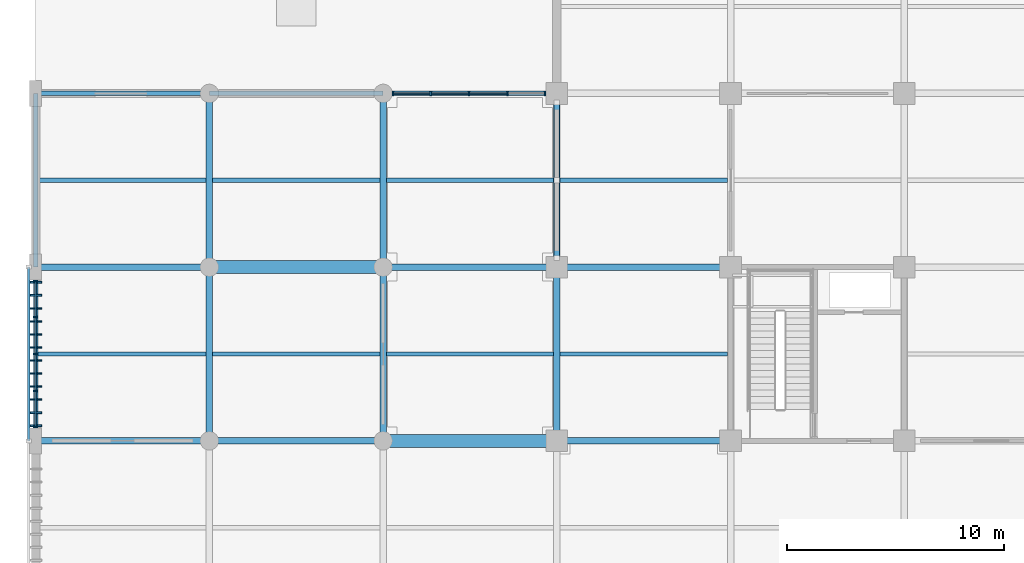
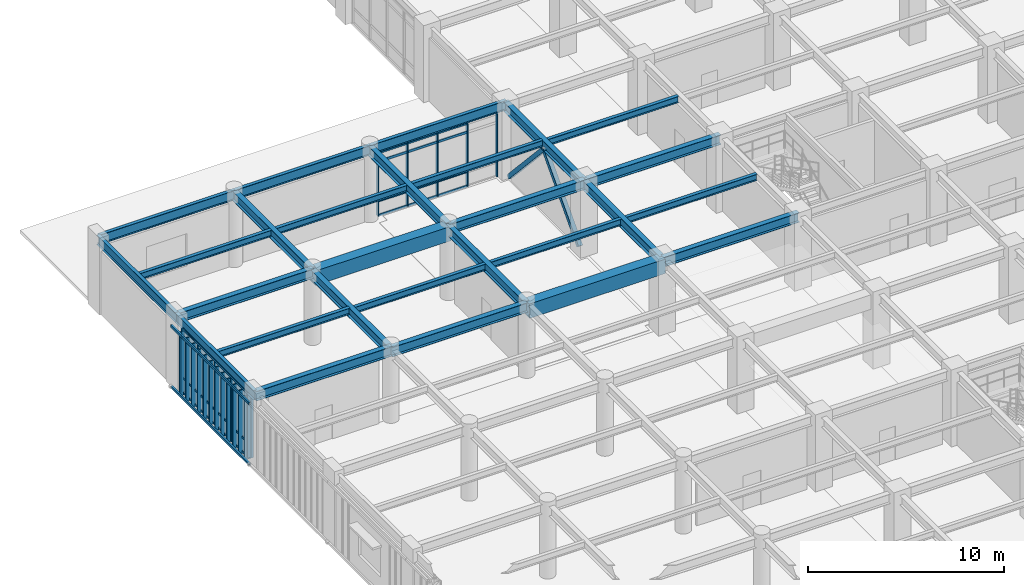
# One storey, part 41 of 117: 54 members, 27 beams, 2 elements without a shape of their own.
"""IFC4 building model written with IfcOpenShell, lengths in metres."""

from ifc_helpers import new_model, si_unit, direction, frame, origin, origin_2d, place, context, subcontext, project, spatial, rectangle, hollow_rectangle, i_section, extrude, material, layer, layer_set, material_profile, profile_set, type_object, element, aggregate, save


model = new_model("IFC4")

# Units and contexts
model_context = context("Model", 3, precision=1e-05, world=origin(), true_north=direction((0.0, 1.0)))
body_context = subcontext(model_context, "Body", "Model", "MODEL_VIEW")
ifc_project = project(units=[si_unit("LENGTHUNIT", "METRE"), si_unit("AREAUNIT", "SQUARE_METRE"), si_unit("VOLUMEUNIT", "CUBIC_METRE"), si_unit("PLANEANGLEUNIT", "RADIAN"), si_unit("MASSUNIT", "GRAM", prefix="KILO")], contexts=[model_context])

# Site, building, storey
site_placement = place(None, origin())
site = spatial("IfcSite", under=ifc_project, at=site_placement, CompositionType="ELEMENT")
building_placement = place(site_placement, origin())
building = spatial("IfcBuilding", under=site, at=building_placement, Name="Haebicheon Civic Stadium", CompositionType="ELEMENT")
storey_placement = place(building_placement, frame((0.0, 0.0, 4.800048828125)))
storey = spatial("IfcBuildingStorey", under=building, at=storey_placement, Name="L02", CompositionType="ELEMENT", Elevation=4.800048828125)

# Beams
ifc_material_1 = material(Name="Concrete C40/50", Category="concrete")
ifc_material_profile_1 = material_profile(ifc_material_1, rectangle(XDim=0.60009765625, YDim=0.89990234375, at=origin_2d()), Name="RC-BM-600x900")
ifc_profile_set_1 = profile_set([ifc_material_profile_1], Name="Concrete C40/50")
beam_type_1 = type_object("IfcBeamType", Name="BM-RC-600x900", PredefinedType="BEAM", material=ifc_profile_set_1)
for number, where, z_axis, x_axis, name in (
    (1, (8.0, 136.0, 4.070068359375), (1.0, 0.0, 0.0), (0.0, 1.0, 0.0), "L02 beam T/2-3"),
    (2, (16.0, 128.0, 4.070068359375), (1.0, 0.0, 0.0), (0.0, 1.0, 0.0), "L02 beam S/3-4"),
):
    element("IfcBeam", number, at=place(storey_placement, frame(where, z_axis=z_axis, x_axis=x_axis)), inside=storey, type_object=beam_type_1, material=ifc_profile_set_1, Name=name, PredefinedType="BEAM", context=body_context, shape_type="SweptSolid", body=[
        extrude(rectangle(XDim=0.60009765625, YDim=0.89990234375, at=origin_2d()), origin(), (0.0, 0.0, 1.0), 8.0),
    ])
ifc_material_2 = material(Name="Steel SM355 (S355)", Category="steel")
ifc_material_profile_2 = material_profile(ifc_material_2, i_section(OverallWidth=0.300048828125, OverallDepth=0.60009765625, WebThickness=0.011962890625, FlangeThickness=0.02001953125, at=origin_2d()), Name="H-600x300x12x20")
ifc_profile_set_2 = profile_set([ifc_material_profile_2], Name="Steel SM355 (S355)")
beam_type_2 = type_object("IfcBeamType", Name="BM-ST-H600A", PredefinedType="BEAM", material=ifc_profile_set_2)
for number, where, z_axis, x_axis, name in (
    (3, (8.0, 128.0, 4.219970703125), (0.0, 1.0, 0.0), (-1.0, 0.0, 0.0), "L02 girder 2/S-T"),
    (4, (8.0, 136.0, 4.280029296875), (0.0, 1.0, 0.0), (-1.0, 0.0, 0.0), "L02 girder 2/T-U"),
    (5, (16.0, 128.0, 4.219970703125), (0.0, 1.0, 0.0), (-1.0, 0.0, 0.0), "L02 girder 3/S-T"),
    (6, (16.0, 136.0, 4.280029296875), (0.0, 1.0, 0.0), (-1.0, 0.0, 0.0), "L02 girder 3/T-U"),
    (7, (24.0, 128.0, 4.219970703125), (0.0, 1.0, 0.0), (-1.0, 0.0, 0.0), "L02 girder 4/S-T"),
    (8, (24.0, 136.0, 4.219970703125), (0.0, 1.0, 0.0), (-1.0, 0.0, 0.0), "L02 girder 4/T-U"),
    (9, (0.0, 128.0, 4.280029296875), (1.0, 0.0, 0.0), (0.0, 1.0, 0.0), "L02 beam S/1-2"),
    (10, (0.0, 136.0, 4.280029296875), (1.0, 0.0, 0.0), (0.0, 1.0, 0.0), "L02 beam T/1-2"),
    (11, (8.0, 128.0, 4.219970703125), (1.0, 0.0, 0.0), (0.0, 1.0, 0.0), "L02 beam S/2-3"),
    (12, (16.0, 136.0, 4.219970703125), (1.0, 0.0, 0.0), (0.0, 1.0, 0.0), "L02 beam T/3-4"),
    (13, (24.0, 128.0, 4.219970703125), (1.0, 0.0, 0.0), (0.0, 1.0, 0.0), "L02 beam S/4-5"),
    (14, (24.0, 136.0, 4.219970703125), (1.0, 0.0, 0.0), (0.0, 1.0, 0.0), "L02 beam T/4-5"),
):
    element("IfcBeam", number, at=place(storey_placement, frame(where, z_axis=z_axis, x_axis=x_axis)), inside=storey, type_object=beam_type_2, material=ifc_profile_set_2, Name=name, PredefinedType="BEAM", context=body_context, shape_type="SweptSolid", body=[
        extrude(i_section(OverallWidth=0.300048828125, OverallDepth=0.60009765625, WebThickness=0.011962890625, FlangeThickness=0.02001953125, at=origin_2d()), origin(), (0.0, 0.0, 1.0), 8.0),
    ])

# Members
ifc_material_3 = material(Name="Steel SM490", Category="steel")
ifc_material_profile_3 = material_profile(ifc_material_3, hollow_rectangle(XDim=0.25, YDim=0.25, WallThickness=0.011962890625, at=origin_2d()), Name="RHS-250x250x12.0")
ifc_profile_set_3 = profile_set([ifc_material_profile_3], Name="Steel SM490")
member_type_1 = type_object("IfcMemberType", Name="BRC-RHS250", PredefinedType="BRACE", material=ifc_profile_set_3)
for number, where, z_axis, x_axis, name in (
    (15, (24.0, 136.419921875, 0.0400390625), (0.0, 0.676254882326, 0.736667723014), (-1.0, 0.0, 0.0), "BR250 chevron brace L02 03-17 A"),
    (16, (24.0, 143.580078125, 0.0400390625), (0.0, -0.676254882326, 0.736667723014), (1.0, 0.0, 0.0), "BR250 chevron brace L02 03-17 B"),
):
    element("IfcMember", number, at=place(storey_placement, frame(where, z_axis=z_axis, x_axis=x_axis)), inside=storey, type_object=member_type_1, material=ifc_profile_set_3, Name=name, PredefinedType="BRACE", context=body_context, shape_type="SweptSolid", body=[
        extrude(hollow_rectangle(XDim=0.25, YDim=0.25, WallThickness=0.011962890625, at=origin_2d()), origin(), (0.0, 0.0, 1.0), 5.2939453125),
    ])

# Curtain wall, members
ifc_material_4 = material(Name="Anodised aluminium and laminated glass", Category="aluminium")
ifc_layer_1 = layer(ifc_material_4, 0.179931640625, Name="Anodised aluminium and laminated glass")
ifc_layer_set_1 = layer_set([ifc_layer_1], Name="Anodised aluminium and laminated glass")
curtain_wall_type_1 = type_object("IfcCurtainWallType", Name="CW-6800x3950", PredefinedType="NOTDEFINED", material=ifc_layer_set_1)
curtain_wall_1_placement = place(storey_placement, origin())
curtain_wall_1 = element("IfcCurtainWall", 17, at=curtain_wall_1_placement, inside=storey, type_object=curtain_wall_type_1, material=ifc_layer_set_1, Name="L02 unitised curtain wall 032", PredefinedType="NOTDEFINED")
ifc_material_5 = material(Name="Anodised aluminium 6063-T6", Category="aluminium")
ifc_material_profile_4 = material_profile(ifc_material_5, rectangle(XDim=0.070068359375, YDim=0.199951171875, at=origin_2d()), Name="ALU-MULL-70x200")
ifc_profile_set_4 = profile_set([ifc_material_profile_4], Name="Anodised aluminium 6063-T6")
member_type_2 = type_object("IfcMemberType", Name="CWM-200x70", PredefinedType="MULLION", material=ifc_profile_set_4)
member_1_placement = place(storey_placement, frame((0.0, 128.635009765625, 0.0), z_axis=(0.0, 0.0, 1.0), x_axis=(0.0, 1.0, 0.0)))
member_1 = element("IfcMember", 18, at=member_1_placement, type_object=member_type_2, material=ifc_profile_set_4, Name="CW-L02-032 vertical mullion 1", PredefinedType="MULLION", context=body_context, shape_type="SweptSolid", body=[
    extrude(rectangle(XDim=0.070068359375, YDim=0.199951171875, at=origin_2d()), origin(), (0.0, 0.0, 1.0), 3.949951171875),
])
member_2_placement = place(storey_placement, frame((0.0, 130.300048828125, 0.0), z_axis=(0.0, 0.0, 1.0), x_axis=(0.0, 1.0, 0.0)))
member_2 = element("IfcMember", 19, at=member_2_placement, type_object=member_type_2, material=ifc_profile_set_4, Name="CW-L02-032 vertical mullion 2", PredefinedType="MULLION", context=body_context, shape_type="SweptSolid", body=[
    extrude(rectangle(XDim=0.070068359375, YDim=0.199951171875, at=origin_2d()), origin(), (0.0, 0.0, 1.0), 3.949951171875),
])
member_3_placement = place(storey_placement, frame((0.0, 132.0, 0.0), z_axis=(0.0, 0.0, 1.0), x_axis=(0.0, 1.0, 0.0)))
member_3 = element("IfcMember", 20, at=member_3_placement, type_object=member_type_2, material=ifc_profile_set_4, Name="CW-L02-032 vertical mullion 3", PredefinedType="MULLION", context=body_context, shape_type="SweptSolid", body=[
    extrude(rectangle(XDim=0.070068359375, YDim=0.199951171875, at=origin_2d()), origin(), (0.0, 0.0, 1.0), 3.949951171875),
])
member_4_placement = place(storey_placement, frame((0.0, 133.699951171875, 0.0), z_axis=(0.0, 0.0, 1.0), x_axis=(0.0, 1.0, 0.0)))
member_4 = element("IfcMember", 21, at=member_4_placement, type_object=member_type_2, material=ifc_profile_set_4, Name="CW-L02-032 vertical mullion 4", PredefinedType="MULLION", context=body_context, shape_type="SweptSolid", body=[
    extrude(rectangle(XDim=0.070068359375, YDim=0.199951171875, at=origin_2d()), origin(), (0.0, 0.0, 1.0), 3.949951171875),
])
member_5_placement = place(storey_placement, frame((0.0, 135.364990234375, 0.0), z_axis=(0.0, 0.0, 1.0), x_axis=(0.0, 1.0, 0.0)))
member_5 = element("IfcMember", 22, at=member_5_placement, type_object=member_type_2, material=ifc_profile_set_4, Name="CW-L02-032 vertical mullion 5", PredefinedType="MULLION", context=body_context, shape_type="SweptSolid", body=[
    extrude(rectangle(XDim=0.070068359375, YDim=0.199951171875, at=origin_2d()), origin(), (0.0, 0.0, 1.0), 3.949951171875),
])

ifc_material_6 = material(Name="Anodised aluminium and laminated glass", Category="aluminium")
ifc_layer_2 = layer(ifc_material_6, 0.179931640625, Name="Anodised aluminium and laminated glass")
ifc_layer_set_2 = layer_set([ifc_layer_2], Name="Anodised aluminium and laminated glass")
curtain_wall_type_2 = type_object("IfcCurtainWallType", Name="CW-7075x3910", PredefinedType="NOTDEFINED", material=ifc_layer_set_2)
curtain_wall_2_placement = place(storey_placement, origin())
curtain_wall_2 = element("IfcCurtainWall", 23, at=curtain_wall_2_placement, inside=storey, type_object=curtain_wall_type_2, material=ifc_layer_set_2, Name="L02 unitised curtain wall 034", PredefinedType="NOTDEFINED")
member_6_placement = place(storey_placement, frame((16.4599609375, 144.0, 0.0), z_axis=(0.0, 0.0, 1.0), x_axis=(1.0, 0.0, 0.0)))
member_6 = element("IfcMember", 24, at=member_6_placement, type_object=member_type_2, material=ifc_profile_set_4, Name="CW-L02-034 vertical mullion 1", PredefinedType="MULLION", context=body_context, shape_type="SweptSolid", body=[
    extrude(rectangle(XDim=0.070068359375, YDim=0.199951171875, at=origin_2d()), origin(), (0.0, 0.0, 1.0), 3.909912109375),
])
member_7_placement = place(storey_placement, frame((18.194091796875, 144.0, 0.0), z_axis=(0.0, 0.0, 1.0), x_axis=(1.0, 0.0, 0.0)))
member_7 = element("IfcMember", 25, at=member_7_placement, type_object=member_type_2, material=ifc_profile_set_4, Name="CW-L02-034 vertical mullion 2", PredefinedType="MULLION", context=body_context, shape_type="SweptSolid", body=[
    extrude(rectangle(XDim=0.070068359375, YDim=0.199951171875, at=origin_2d()), origin(), (0.0, 0.0, 1.0), 3.909912109375),
])
member_8_placement = place(storey_placement, frame((19.962890625, 144.0, 0.0), z_axis=(0.0, 0.0, 1.0), x_axis=(1.0, 0.0, 0.0)))
member_8 = element("IfcMember", 26, at=member_8_placement, type_object=member_type_2, material=ifc_profile_set_4, Name="CW-L02-034 vertical mullion 3", PredefinedType="MULLION", context=body_context, shape_type="SweptSolid", body=[
    extrude(rectangle(XDim=0.070068359375, YDim=0.199951171875, at=origin_2d()), origin(), (0.0, 0.0, 1.0), 3.909912109375),
])
member_9_placement = place(storey_placement, frame((21.73095703125, 144.0, 0.0), z_axis=(0.0, 0.0, 1.0), x_axis=(1.0, 0.0, 0.0)))
member_9 = element("IfcMember", 27, at=member_9_placement, type_object=member_type_2, material=ifc_profile_set_4, Name="CW-L02-034 vertical mullion 4", PredefinedType="MULLION", context=body_context, shape_type="SweptSolid", body=[
    extrude(rectangle(XDim=0.070068359375, YDim=0.199951171875, at=origin_2d()), origin(), (0.0, 0.0, 1.0), 3.909912109375),
])
member_10_placement = place(storey_placement, frame((23.465087890625, 144.0, 0.0), z_axis=(0.0, 0.0, 1.0), x_axis=(1.0, 0.0, 0.0)))
member_10 = element("IfcMember", 28, at=member_10_placement, type_object=member_type_2, material=ifc_profile_set_4, Name="CW-L02-034 vertical mullion 5", PredefinedType="MULLION", context=body_context, shape_type="SweptSolid", body=[
    extrude(rectangle(XDim=0.070068359375, YDim=0.199951171875, at=origin_2d()), origin(), (0.0, 0.0, 1.0), 3.909912109375),
])

# Member
ifc_material_7 = material(Name="Anodised aluminium 6063-T6", Category="aluminium")
ifc_material_profile_5 = material_profile(ifc_material_7, rectangle(XDim=0.070068359375, YDim=0.14990234375, at=origin_2d()), Name="ALU-TRAN-70x150")
ifc_profile_set_5 = profile_set([ifc_material_profile_5], Name="Anodised aluminium 6063-T6")
member_type_3 = type_object("IfcMemberType", Name="CWT-150x70", PredefinedType="NOTDEFINED", material=ifc_profile_set_5)
member_11_placement = place(storey_placement, frame((0.0, 128.669921875, 0.0), z_axis=(0.0, 1.0, 0.0), x_axis=(-1.0, 0.0, 0.0)))
member_11 = element("IfcMember", 29, at=member_11_placement, type_object=member_type_3, material=ifc_profile_set_5, Name="CW-L02-032 horizontal transom 1.1", ObjectType="TRANSOM", PredefinedType="USERDEFINED", context=body_context, shape_type="SweptSolid", body=[
    extrude(rectangle(XDim=0.070068359375, YDim=0.14990234375, at=origin_2d()), origin(), (0.0, 0.0, 1.0), 1.594970703125),
])

member_12_placement = place(storey_placement, frame((0.0, 128.669921875, 0.89990234375), z_axis=(0.0, 1.0, 0.0), x_axis=(-1.0, 0.0, 0.0)))
member_12 = element("IfcMember", 30, at=member_12_placement, type_object=member_type_3, material=ifc_profile_set_5, Name="CW-L02-032 horizontal transom 1.2", ObjectType="TRANSOM", PredefinedType="USERDEFINED", context=body_context, shape_type="SweptSolid", body=[
    extrude(rectangle(XDim=0.070068359375, YDim=0.14990234375, at=origin_2d()), origin(), (0.0, 0.0, 1.0), 1.594970703125),
])

member_13_placement = place(storey_placement, frame((0.0, 128.669921875, 3.39990234375), z_axis=(0.0, 1.0, 0.0), x_axis=(-1.0, 0.0, 0.0)))
member_13 = element("IfcMember", 31, at=member_13_placement, type_object=member_type_3, material=ifc_profile_set_5, Name="CW-L02-032 horizontal transom 1.3", ObjectType="TRANSOM", PredefinedType="USERDEFINED", context=body_context, shape_type="SweptSolid", body=[
    extrude(rectangle(XDim=0.070068359375, YDim=0.14990234375, at=origin_2d()), origin(), (0.0, 0.0, 1.0), 1.594970703125),
])

member_14_placement = place(storey_placement, frame((0.0, 128.669921875, 3.949951171875), z_axis=(0.0, 1.0, 0.0), x_axis=(-1.0, 0.0, 0.0)))
member_14 = element("IfcMember", 32, at=member_14_placement, type_object=member_type_3, material=ifc_profile_set_5, Name="CW-L02-032 horizontal transom 1.4", ObjectType="TRANSOM", PredefinedType="USERDEFINED", context=body_context, shape_type="SweptSolid", body=[
    extrude(rectangle(XDim=0.070068359375, YDim=0.14990234375, at=origin_2d()), origin(), (0.0, 0.0, 1.0), 1.594970703125),
])

member_15_placement = place(storey_placement, frame((0.0, 130.3349609375, 0.0), z_axis=(0.0, 1.0, 0.0), x_axis=(-1.0, 0.0, 0.0)))
member_15 = element("IfcMember", 33, at=member_15_placement, type_object=member_type_3, material=ifc_profile_set_5, Name="CW-L02-032 horizontal transom 2.1", ObjectType="TRANSOM", PredefinedType="USERDEFINED", context=body_context, shape_type="SweptSolid", body=[
    extrude(rectangle(XDim=0.070068359375, YDim=0.14990234375, at=origin_2d()), origin(), (0.0, 0.0, 1.0), 1.630126953125),
])

member_16_placement = place(storey_placement, frame((0.0, 130.3349609375, 0.89990234375), z_axis=(0.0, 1.0, 0.0), x_axis=(-1.0, 0.0, 0.0)))
member_16 = element("IfcMember", 34, at=member_16_placement, type_object=member_type_3, material=ifc_profile_set_5, Name="CW-L02-032 horizontal transom 2.2", ObjectType="TRANSOM", PredefinedType="USERDEFINED", context=body_context, shape_type="SweptSolid", body=[
    extrude(rectangle(XDim=0.070068359375, YDim=0.14990234375, at=origin_2d()), origin(), (0.0, 0.0, 1.0), 1.630126953125),
])

member_17_placement = place(storey_placement, frame((0.0, 130.3349609375, 3.39990234375), z_axis=(0.0, 1.0, 0.0), x_axis=(-1.0, 0.0, 0.0)))
member_17 = element("IfcMember", 35, at=member_17_placement, type_object=member_type_3, material=ifc_profile_set_5, Name="CW-L02-032 horizontal transom 2.3", ObjectType="TRANSOM", PredefinedType="USERDEFINED", context=body_context, shape_type="SweptSolid", body=[
    extrude(rectangle(XDim=0.070068359375, YDim=0.14990234375, at=origin_2d()), origin(), (0.0, 0.0, 1.0), 1.630126953125),
])

member_18_placement = place(storey_placement, frame((0.0, 130.3349609375, 3.949951171875), z_axis=(0.0, 1.0, 0.0), x_axis=(-1.0, 0.0, 0.0)))
member_18 = element("IfcMember", 36, at=member_18_placement, type_object=member_type_3, material=ifc_profile_set_5, Name="CW-L02-032 horizontal transom 2.4", ObjectType="TRANSOM", PredefinedType="USERDEFINED", context=body_context, shape_type="SweptSolid", body=[
    extrude(rectangle(XDim=0.070068359375, YDim=0.14990234375, at=origin_2d()), origin(), (0.0, 0.0, 1.0), 1.630126953125),
])

member_19_placement = place(storey_placement, frame((0.0, 132.034912109375, 0.0), z_axis=(0.0, 1.0, 0.0), x_axis=(-1.0, 0.0, 0.0)))
member_19 = element("IfcMember", 37, at=member_19_placement, type_object=member_type_3, material=ifc_profile_set_5, Name="CW-L02-032 horizontal transom 3.1", ObjectType="TRANSOM", PredefinedType="USERDEFINED", context=body_context, shape_type="SweptSolid", body=[
    extrude(rectangle(XDim=0.070068359375, YDim=0.14990234375, at=origin_2d()), origin(), (0.0, 0.0, 1.0), 1.630126953125),
])

member_20_placement = place(storey_placement, frame((0.0, 132.034912109375, 0.89990234375), z_axis=(0.0, 1.0, 0.0), x_axis=(-1.0, 0.0, 0.0)))
member_20 = element("IfcMember", 38, at=member_20_placement, type_object=member_type_3, material=ifc_profile_set_5, Name="CW-L02-032 horizontal transom 3.2", ObjectType="TRANSOM", PredefinedType="USERDEFINED", context=body_context, shape_type="SweptSolid", body=[
    extrude(rectangle(XDim=0.070068359375, YDim=0.14990234375, at=origin_2d()), origin(), (0.0, 0.0, 1.0), 1.630126953125),
])

member_21_placement = place(storey_placement, frame((0.0, 132.034912109375, 3.39990234375), z_axis=(0.0, 1.0, 0.0), x_axis=(-1.0, 0.0, 0.0)))
member_21 = element("IfcMember", 39, at=member_21_placement, type_object=member_type_3, material=ifc_profile_set_5, Name="CW-L02-032 horizontal transom 3.3", ObjectType="TRANSOM", PredefinedType="USERDEFINED", context=body_context, shape_type="SweptSolid", body=[
    extrude(rectangle(XDim=0.070068359375, YDim=0.14990234375, at=origin_2d()), origin(), (0.0, 0.0, 1.0), 1.630126953125),
])

member_22_placement = place(storey_placement, frame((0.0, 132.034912109375, 3.949951171875), z_axis=(0.0, 1.0, 0.0), x_axis=(-1.0, 0.0, 0.0)))
member_22 = element("IfcMember", 40, at=member_22_placement, type_object=member_type_3, material=ifc_profile_set_5, Name="CW-L02-032 horizontal transom 3.4", ObjectType="TRANSOM", PredefinedType="USERDEFINED", context=body_context, shape_type="SweptSolid", body=[
    extrude(rectangle(XDim=0.070068359375, YDim=0.14990234375, at=origin_2d()), origin(), (0.0, 0.0, 1.0), 1.630126953125),
])

member_23_placement = place(storey_placement, frame((0.0, 133.735107421875, 0.0), z_axis=(0.0, 1.0, 0.0), x_axis=(-1.0, 0.0, 0.0)))
member_23 = element("IfcMember", 41, at=member_23_placement, type_object=member_type_3, material=ifc_profile_set_5, Name="CW-L02-032 horizontal transom 4.1", ObjectType="TRANSOM", PredefinedType="USERDEFINED", context=body_context, shape_type="SweptSolid", body=[
    extrude(rectangle(XDim=0.070068359375, YDim=0.14990234375, at=origin_2d()), origin(), (0.0, 0.0, 1.0), 1.594970703125),
])

member_24_placement = place(storey_placement, frame((0.0, 133.735107421875, 0.89990234375), z_axis=(0.0, 1.0, 0.0), x_axis=(-1.0, 0.0, 0.0)))
member_24 = element("IfcMember", 42, at=member_24_placement, type_object=member_type_3, material=ifc_profile_set_5, Name="CW-L02-032 horizontal transom 4.2", ObjectType="TRANSOM", PredefinedType="USERDEFINED", context=body_context, shape_type="SweptSolid", body=[
    extrude(rectangle(XDim=0.070068359375, YDim=0.14990234375, at=origin_2d()), origin(), (0.0, 0.0, 1.0), 1.594970703125),
])

member_25_placement = place(storey_placement, frame((0.0, 133.735107421875, 3.39990234375), z_axis=(0.0, 1.0, 0.0), x_axis=(-1.0, 0.0, 0.0)))
member_25 = element("IfcMember", 43, at=member_25_placement, type_object=member_type_3, material=ifc_profile_set_5, Name="CW-L02-032 horizontal transom 4.3", ObjectType="TRANSOM", PredefinedType="USERDEFINED", context=body_context, shape_type="SweptSolid", body=[
    extrude(rectangle(XDim=0.070068359375, YDim=0.14990234375, at=origin_2d()), origin(), (0.0, 0.0, 1.0), 1.594970703125),
])

member_26_placement = place(storey_placement, frame((0.0, 133.735107421875, 3.949951171875), z_axis=(0.0, 1.0, 0.0), x_axis=(-1.0, 0.0, 0.0)))
member_26 = element("IfcMember", 44, at=member_26_placement, type_object=member_type_3, material=ifc_profile_set_5, Name="CW-L02-032 horizontal transom 4.4", ObjectType="TRANSOM", PredefinedType="USERDEFINED", context=body_context, shape_type="SweptSolid", body=[
    extrude(rectangle(XDim=0.070068359375, YDim=0.14990234375, at=origin_2d()), origin(), (0.0, 0.0, 1.0), 1.594970703125),
])

aggregate(curtain_wall_1, [member_1, member_2, member_3, member_4, member_5, member_11, member_12, member_13, member_14, member_15, member_16, member_17, member_18, member_19, member_20, member_21, member_22, member_23, member_24, member_25, member_26])

member_27_placement = place(storey_placement, frame((16.4951171875, 144.0, 0.0), z_axis=(1.0, 0.0, 0.0), x_axis=(0.0, 1.0, 0.0)))
member_27 = element("IfcMember", 45, at=member_27_placement, type_object=member_type_3, material=ifc_profile_set_5, Name="CW-L02-034 horizontal transom 1.1", ObjectType="TRANSOM", PredefinedType="USERDEFINED", context=body_context, shape_type="SweptSolid", body=[
    extrude(rectangle(XDim=0.070068359375, YDim=0.14990234375, at=origin_2d()), origin(), (0.0, 0.0, 1.0), 1.663818359375),
])

member_28_placement = place(storey_placement, frame((16.4951171875, 144.0, 0.89990234375), z_axis=(1.0, 0.0, 0.0), x_axis=(0.0, 1.0, 0.0)))
member_28 = element("IfcMember", 46, at=member_28_placement, type_object=member_type_3, material=ifc_profile_set_5, Name="CW-L02-034 horizontal transom 1.2", ObjectType="TRANSOM", PredefinedType="USERDEFINED", context=body_context, shape_type="SweptSolid", body=[
    extrude(rectangle(XDim=0.070068359375, YDim=0.14990234375, at=origin_2d()), origin(), (0.0, 0.0, 1.0), 1.663818359375),
])

member_29_placement = place(storey_placement, frame((16.4951171875, 144.0, 3.35986328125), z_axis=(1.0, 0.0, 0.0), x_axis=(0.0, 1.0, 0.0)))
member_29 = element("IfcMember", 47, at=member_29_placement, type_object=member_type_3, material=ifc_profile_set_5, Name="CW-L02-034 horizontal transom 1.3", ObjectType="TRANSOM", PredefinedType="USERDEFINED", context=body_context, shape_type="SweptSolid", body=[
    extrude(rectangle(XDim=0.070068359375, YDim=0.14990234375, at=origin_2d()), origin(), (0.0, 0.0, 1.0), 1.663818359375),
])

member_30_placement = place(storey_placement, frame((16.4951171875, 144.0, 3.909912109375), z_axis=(1.0, 0.0, 0.0), x_axis=(0.0, 1.0, 0.0)))
member_30 = element("IfcMember", 48, at=member_30_placement, type_object=member_type_3, material=ifc_profile_set_5, Name="CW-L02-034 horizontal transom 1.4", ObjectType="TRANSOM", PredefinedType="USERDEFINED", context=body_context, shape_type="SweptSolid", body=[
    extrude(rectangle(XDim=0.070068359375, YDim=0.14990234375, at=origin_2d()), origin(), (0.0, 0.0, 1.0), 1.663818359375),
])

member_31_placement = place(storey_placement, frame((18.22900390625, 144.0, 0.0), z_axis=(1.0, 0.0, 0.0), x_axis=(0.0, 1.0, 0.0)))
member_31 = element("IfcMember", 49, at=member_31_placement, type_object=member_type_3, material=ifc_profile_set_5, Name="CW-L02-034 horizontal transom 2.1", ObjectType="TRANSOM", PredefinedType="USERDEFINED", context=body_context, shape_type="SweptSolid", body=[
    extrude(rectangle(XDim=0.070068359375, YDim=0.14990234375, at=origin_2d()), origin(), (0.0, 0.0, 1.0), 1.698974609375),
])

member_32_placement = place(storey_placement, frame((18.22900390625, 144.0, 0.89990234375), z_axis=(1.0, 0.0, 0.0), x_axis=(0.0, 1.0, 0.0)))
member_32 = element("IfcMember", 50, at=member_32_placement, type_object=member_type_3, material=ifc_profile_set_5, Name="CW-L02-034 horizontal transom 2.2", ObjectType="TRANSOM", PredefinedType="USERDEFINED", context=body_context, shape_type="SweptSolid", body=[
    extrude(rectangle(XDim=0.070068359375, YDim=0.14990234375, at=origin_2d()), origin(), (0.0, 0.0, 1.0), 1.698974609375),
])

member_33_placement = place(storey_placement, frame((18.22900390625, 144.0, 3.35986328125), z_axis=(1.0, 0.0, 0.0), x_axis=(0.0, 1.0, 0.0)))
member_33 = element("IfcMember", 51, at=member_33_placement, type_object=member_type_3, material=ifc_profile_set_5, Name="CW-L02-034 horizontal transom 2.3", ObjectType="TRANSOM", PredefinedType="USERDEFINED", context=body_context, shape_type="SweptSolid", body=[
    extrude(rectangle(XDim=0.070068359375, YDim=0.14990234375, at=origin_2d()), origin(), (0.0, 0.0, 1.0), 1.698974609375),
])

member_34_placement = place(storey_placement, frame((18.22900390625, 144.0, 3.909912109375), z_axis=(1.0, 0.0, 0.0), x_axis=(0.0, 1.0, 0.0)))
member_34 = element("IfcMember", 52, at=member_34_placement, type_object=member_type_3, material=ifc_profile_set_5, Name="CW-L02-034 horizontal transom 2.4", ObjectType="TRANSOM", PredefinedType="USERDEFINED", context=body_context, shape_type="SweptSolid", body=[
    extrude(rectangle(XDim=0.070068359375, YDim=0.14990234375, at=origin_2d()), origin(), (0.0, 0.0, 1.0), 1.698974609375),
])

member_35_placement = place(storey_placement, frame((19.998046875, 144.0, 0.0), z_axis=(1.0, 0.0, 0.0), x_axis=(0.0, 1.0, 0.0)))
member_35 = element("IfcMember", 53, at=member_35_placement, type_object=member_type_3, material=ifc_profile_set_5, Name="CW-L02-034 horizontal transom 3.1", ObjectType="TRANSOM", PredefinedType="USERDEFINED", context=body_context, shape_type="SweptSolid", body=[
    extrude(rectangle(XDim=0.070068359375, YDim=0.14990234375, at=origin_2d()), origin(), (0.0, 0.0, 1.0), 1.697998046875),
])

member_36_placement = place(storey_placement, frame((19.998046875, 144.0, 0.89990234375), z_axis=(1.0, 0.0, 0.0), x_axis=(0.0, 1.0, 0.0)))
member_36 = element("IfcMember", 54, at=member_36_placement, type_object=member_type_3, material=ifc_profile_set_5, Name="CW-L02-034 horizontal transom 3.2", ObjectType="TRANSOM", PredefinedType="USERDEFINED", context=body_context, shape_type="SweptSolid", body=[
    extrude(rectangle(XDim=0.070068359375, YDim=0.14990234375, at=origin_2d()), origin(), (0.0, 0.0, 1.0), 1.697998046875),
])

member_37_placement = place(storey_placement, frame((19.998046875, 144.0, 3.35986328125), z_axis=(1.0, 0.0, 0.0), x_axis=(0.0, 1.0, 0.0)))
member_37 = element("IfcMember", 55, at=member_37_placement, type_object=member_type_3, material=ifc_profile_set_5, Name="CW-L02-034 horizontal transom 3.3", ObjectType="TRANSOM", PredefinedType="USERDEFINED", context=body_context, shape_type="SweptSolid", body=[
    extrude(rectangle(XDim=0.070068359375, YDim=0.14990234375, at=origin_2d()), origin(), (0.0, 0.0, 1.0), 1.697998046875),
])

member_38_placement = place(storey_placement, frame((19.998046875, 144.0, 3.909912109375), z_axis=(1.0, 0.0, 0.0), x_axis=(0.0, 1.0, 0.0)))
member_38 = element("IfcMember", 56, at=member_38_placement, type_object=member_type_3, material=ifc_profile_set_5, Name="CW-L02-034 horizontal transom 3.4", ObjectType="TRANSOM", PredefinedType="USERDEFINED", context=body_context, shape_type="SweptSolid", body=[
    extrude(rectangle(XDim=0.070068359375, YDim=0.14990234375, at=origin_2d()), origin(), (0.0, 0.0, 1.0), 1.697998046875),
])

aggregate(curtain_wall_2, [member_6, member_7, member_8, member_9, member_10, member_27, member_28, member_29, member_30, member_31, member_32, member_33, member_34, member_35, member_36, member_37, member_38])

# Beams
ifc_material_8 = material(Name="Steel SM355 (S355)", Category="steel")
ifc_material_profile_6 = material_profile(ifc_material_8, i_section(OverallWidth=0.199951171875, OverallDepth=0.39990234375, WebThickness=0.008056640625, FlangeThickness=0.012939453125, at=origin_2d()), Name="H-400x200x8x13")
ifc_profile_set_6 = profile_set([ifc_material_profile_6], Name="Steel SM355 (S355)")
beam_type_3 = type_object("IfcBeamType", Name="JST-ST-H400", PredefinedType="JOIST", material=ifc_profile_set_6)
for number, where, z_axis, x_axis, name in (
    (57, (0.10009765625, 132.0, 4.3798828125), (1.0, 0.0, 0.0), (0.0, 1.0, 0.0), "L02 secondary joist 00-16"),
    (58, (0.10009765625, 140.0, 4.3798828125), (1.0, 0.0, 0.0), (0.0, 1.0, 0.0), "L02 secondary joist 00-17"),
):
    element("IfcBeam", number, at=place(storey_placement, frame(where, z_axis=z_axis, x_axis=x_axis)), inside=storey, type_object=beam_type_3, material=ifc_profile_set_6, Name=name, PredefinedType="JOIST", context=body_context, shape_type="SweptSolid", body=[
        extrude(i_section(OverallWidth=0.199951171875, OverallDepth=0.39990234375, WebThickness=0.008056640625, FlangeThickness=0.012939453125, at=origin_2d()), origin(), (0.0, 0.0, 1.0), 7.75),
    ])
for number, where, z_axis, x_axis, name in (
    (59, (8.14990234375, 132.0, 4.320068359375), (1.0, 0.0, 0.0), (0.0, 1.0, 0.0), "L02 secondary joist 01-16"),
    (60, (8.14990234375, 140.0, 4.3798828125), (1.0, 0.0, 0.0), (0.0, 1.0, 0.0), "L02 secondary joist 01-17"),
    (61, (16.14990234375, 132.0, 4.320068359375), (1.0, 0.0, 0.0), (0.0, 1.0, 0.0), "L02 secondary joist 02-16"),
    (62, (16.14990234375, 140.0, 4.3798828125), (1.0, 0.0, 0.0), (0.0, 1.0, 0.0), "L02 secondary joist 02-17"),
    (63, (24.14990234375, 132.0, 4.320068359375), (1.0, 0.0, 0.0), (0.0, 1.0, 0.0), "L02 secondary joist 03-16"),
    (64, (24.14990234375, 140.0, 4.320068359375), (1.0, 0.0, 0.0), (0.0, 1.0, 0.0), "L02 secondary joist 03-17"),
):
    element("IfcBeam", number, at=place(storey_placement, frame(where, z_axis=z_axis, x_axis=x_axis)), inside=storey, type_object=beam_type_3, material=ifc_profile_set_6, Name=name, PredefinedType="JOIST", context=body_context, shape_type="SweptSolid", body=[
        extrude(i_section(OverallWidth=0.199951171875, OverallDepth=0.39990234375, WebThickness=0.008056640625, FlangeThickness=0.012939453125, at=origin_2d()), origin(), (0.0, 0.0, 1.0), 7.7001953125),
    ])

# Members
ifc_material_9 = material(Name="Acetylated timber GL28h", Category="wood")
ifc_material_profile_7 = material_profile(ifc_material_9, rectangle(XDim=0.080078125, YDim=0.52001953125, at=origin_2d()), Name="TMB-LOUV-80x520")
ifc_profile_set_7 = profile_set([ifc_material_profile_7], Name="Acetylated timber GL28h")
member_type_4 = type_object("IfcMemberType", Name="LVR-TIM-520x80", PredefinedType="PLATE", material=ifc_profile_set_7)
for number, where, z_axis, x_axis, name in (
    (65, (0.02001953125, 128.699951171875, -0.1201171875), (0.0, 0.0, 1.0), (0.0, 1.0, 0.0), "SCR-BOUL L02 acetylated timber storm louvre fin 11.1"),
    (66, (0.02001953125, 129.300048828125, -0.1201171875), (0.0, 0.0, 1.0), (0.0, 1.0, 0.0), "SCR-BOUL L02 acetylated timber storm louvre fin 11.2"),
    (67, (0.02001953125, 129.89990234375, -0.1201171875), (0.0, 0.0, 1.0), (0.0, 1.0, 0.0), "SCR-BOUL L02 acetylated timber storm louvre fin 11.3"),
    (68, (0.02001953125, 130.5, -0.1201171875), (0.0, 0.0, 1.0), (0.0, 1.0, 0.0), "SCR-BOUL L02 acetylated timber storm louvre fin 11.4"),
    (69, (0.02001953125, 131.10009765625, -0.1201171875), (0.0, 0.0, 1.0), (0.0, 1.0, 0.0), "SCR-BOUL L02 acetylated timber storm louvre fin 11.5"),
    (70, (0.02001953125, 131.699951171875, -0.1201171875), (0.0, 0.0, 1.0), (0.0, 1.0, 0.0), "SCR-BOUL L02 acetylated timber storm louvre fin 11.6"),
    (71, (0.02001953125, 132.300048828125, -0.1201171875), (0.0, 0.0, 1.0), (0.0, 1.0, 0.0), "SCR-BOUL L02 acetylated timber storm louvre fin 11.7"),
    (72, (0.02001953125, 132.89990234375, -0.1201171875), (0.0, 0.0, 1.0), (0.0, 1.0, 0.0), "SCR-BOUL L02 acetylated timber storm louvre fin 11.8"),
    (73, (0.02001953125, 133.5, -0.1201171875), (0.0, 0.0, 1.0), (0.0, 1.0, 0.0), "SCR-BOUL L02 acetylated timber storm louvre fin 11.9"),
    (74, (0.02001953125, 134.10009765625, -0.1201171875), (0.0, 0.0, 1.0), (0.0, 1.0, 0.0), "SCR-BOUL L02 acetylated timber storm louvre fin 11.10"),
    (75, (0.02001953125, 134.699951171875, -0.1201171875), (0.0, 0.0, 1.0), (0.0, 1.0, 0.0), "SCR-BOUL L02 acetylated timber storm louvre fin 11.11"),
    (76, (0.02001953125, 135.300048828125, -0.1201171875), (0.0, 0.0, 1.0), (0.0, 1.0, 0.0), "SCR-BOUL L02 acetylated timber storm louvre fin 11.12"),
):
    element("IfcMember", number, at=place(storey_placement, frame(where, z_axis=z_axis, x_axis=x_axis)), inside=storey, type_object=member_type_4, material=ifc_profile_set_7, Name=name, PredefinedType="PLATE", context=body_context, shape_type="SweptSolid", body=[
        extrude(rectangle(XDim=0.080078125, YDim=0.52001953125, at=origin_2d()), origin(), (0.0, 0.0, 1.0), 3.969970703125),
    ])

# Beams
ifc_material_10 = material(Name="Steel SM355 (S355)", Category="steel")
ifc_material_profile_8 = material_profile(ifc_material_10, i_section(OverallWidth=0.199951171875, OverallDepth=0.60009765625, WebThickness=0.010986328125, FlangeThickness=0.01708984375, at=origin_2d()), Name="H-600x200x11x17")
ifc_profile_set_8 = profile_set([ifc_material_profile_8], Name="Steel SM355 (S355)")
beam_type_4 = type_object("IfcBeamType", Name="SPD-ST-H600B", PredefinedType="SPANDREL", material=ifc_profile_set_8)
for number, where, z_axis, x_axis, name in (
    (77, (0.0, 128.0, 4.280029296875), (0.0, 1.0, 0.0), (-1.0, 0.0, 0.0), "L02 girder 1/S-T"),
    (78, (0.0, 136.0, 4.280029296875), (0.0, 1.0, 0.0), (-1.0, 0.0, 0.0), "L02 girder 1/T-U"),
    (79, (0.0, 144.0, 4.280029296875), (1.0, 0.0, 0.0), (0.0, 1.0, 0.0), "L02 beam U/1-2"),
    (80, (8.0, 144.0, 4.280029296875), (1.0, 0.0, 0.0), (0.0, 1.0, 0.0), "L02 beam U/2-3"),
    (81, (16.0, 144.0, 4.280029296875), (1.0, 0.0, 0.0), (0.0, 1.0, 0.0), "L02 beam U/3-4"),
):
    element("IfcBeam", number, at=place(storey_placement, frame(where, z_axis=z_axis, x_axis=x_axis)), inside=storey, type_object=beam_type_4, material=ifc_profile_set_8, Name=name, PredefinedType="SPANDREL", context=body_context, shape_type="SweptSolid", body=[
        extrude(i_section(OverallWidth=0.199951171875, OverallDepth=0.60009765625, WebThickness=0.010986328125, FlangeThickness=0.01708984375, at=origin_2d()), origin(), (0.0, 0.0, 1.0), 8.0),
    ])

# Members
ifc_material_11 = material(Name="Steel SM355 (S355)", Category="steel")
ifc_material_profile_9 = material_profile(ifc_material_11, hollow_rectangle(XDim=0.10009765625, YDim=0.14990234375, WallThickness=0.006103515625, at=origin_2d()), Name="RHS-150x100x6.0")
ifc_profile_set_9 = profile_set([ifc_material_profile_9], Name="Steel SM355 (S355)")
member_type_5 = type_object("IfcMemberType", Name="SUB-RHS150", PredefinedType="STRINGER", material=ifc_profile_set_9)
for number, where, z_axis, x_axis, name in (
    (82, (-0.31494140625, 128.0, 0.06005859375), (0.0, 1.0, 0.0), (-1.0, 0.0, 0.0), "SCR-BOUL L02 storm-louvre bottom carrier rail 11"),
    (83, (-0.31494140625, 128.0, 3.849853515625), (0.0, 1.0, 0.0), (-1.0, 0.0, 0.0), "SCR-BOUL L02 storm-louvre top carrier rail 11"),
):
    element("IfcMember", number, at=place(storey_placement, frame(where, z_axis=z_axis, x_axis=x_axis)), inside=storey, type_object=member_type_5, material=ifc_profile_set_9, Name=name, PredefinedType="STRINGER", context=body_context, shape_type="SweptSolid", body=[
        extrude(hollow_rectangle(XDim=0.10009765625, YDim=0.14990234375, WallThickness=0.006103515625, at=origin_2d()), origin(), (0.0, 0.0, 1.0), 8.0),
    ])

save(model, "model.ifc")
